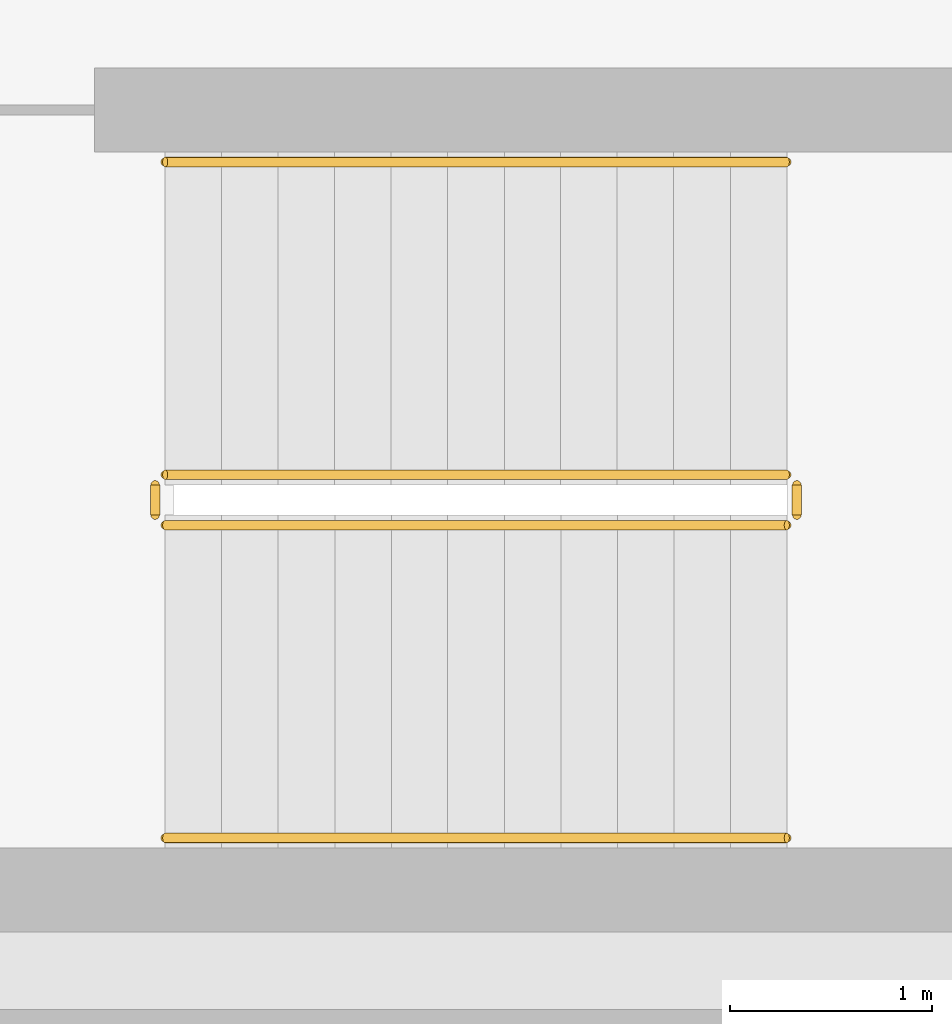
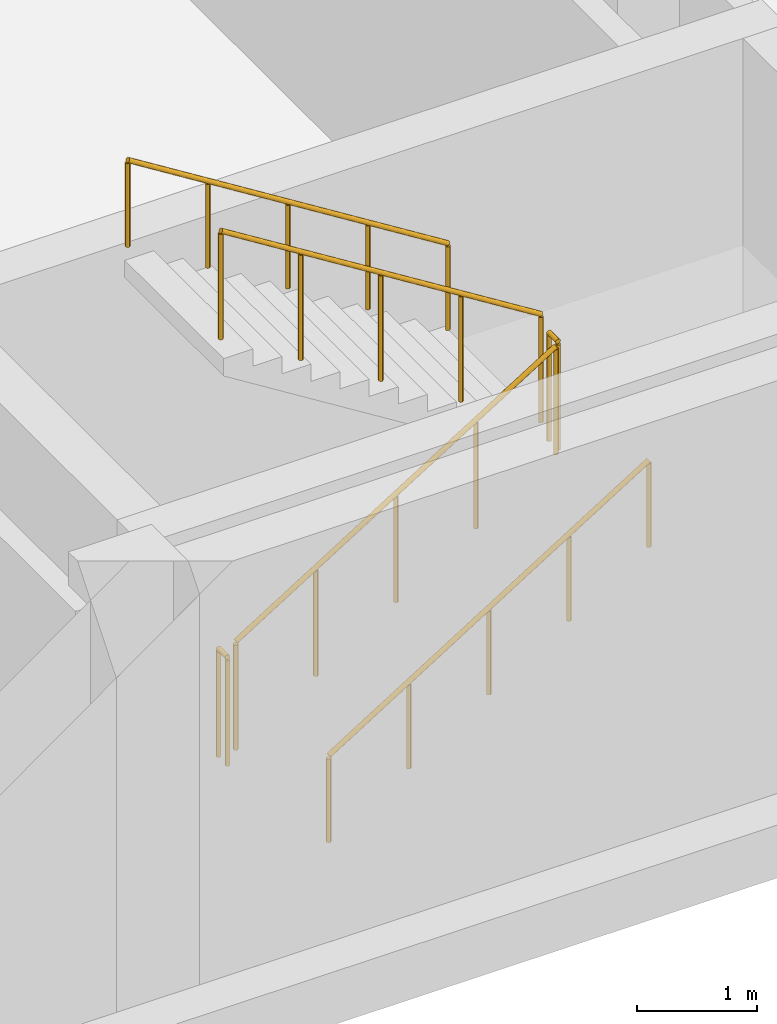
# One storey, part 28 of 31: 6 railings.
"""IFC4 building model written with IfcOpenShell, lengths in metres."""

from ifc_helpers import new_model, si_unit, direction, frame, origin, origin_2d, place, context, subcontext, project, spatial, circle, extrude, material, type_object, element, save


model = new_model("IFC4")

# Units and contexts
model_context = context("Model", 3, precision=1e-05, world=origin(), true_north=direction((0.0, 1.0)))
body_context = subcontext(model_context, "Body", "Model", "MODEL_VIEW")
ifc_project = project(units=[si_unit("LENGTHUNIT", "METRE"), si_unit("AREAUNIT", "SQUARE_METRE"), si_unit("VOLUMEUNIT", "CUBIC_METRE"), si_unit("PLANEANGLEUNIT", "RADIAN"), si_unit("MASSUNIT", "GRAM", prefix="KILO")], contexts=[model_context])

# Site, building, storey
site_placement = place(None, origin())
site = spatial("IfcSite", under=ifc_project, at=site_placement, CompositionType="ELEMENT")
building_placement = place(site_placement, origin())
building = spatial("IfcBuilding", under=site, at=building_placement, Name="Qalavern Law Courts", CompositionType="ELEMENT")
storey_placement = place(building_placement, frame((0.0, 0.0, -4.199951171875)))
storey = spatial("IfcBuildingStorey", under=building, at=storey_placement, Name="B1", CompositionType="ELEMENT", Elevation=-4.199951171875)

# Railings
ifc_material = material(Name="Steel S355", Category="steel")
railing_type_1 = type_object("IfcRailingType", Name="INT-GUARD-1120", PredefinedType="BALUSTRADE", material=ifc_material)
railing_1_placement = place(storey_placement, frame((120.050048828125, 3.60009765625, 0.175048828125)))
element("IfcRailing", 1, at=railing_1_placement, inside=storey, type_object=railing_type_1, Name="B1 ST-K5 stair guard 1", PredefinedType="BALUSTRADE", context=body_context, shape_type="SweptSolid", body=[
    extrude(circle(Radius=0.02392578125, at=origin_2d()), frame((0.0, 0.0, 1.09619140625), z_axis=(0.848009633417, 0.0, 0.529980812513), x_axis=(0.0, 1.0, 0.0)), (0.0, 0.0, 1.0), 3.6318359375),
    extrude(circle(Radius=0.02099609375, at=origin_2d()), origin(), (0.0, 0.0, 1.0), 1.072021484375),
    extrude(circle(Radius=0.02099609375, at=origin_2d()), frame((0.77001953125, 0.0, 0.481201171875)), (0.0, 0.0, 1.0), 1.072021484375),
    extrude(circle(Radius=0.02099609375, at=origin_2d()), frame((1.5400390625, 0.0, 0.96240234375)), (0.0, 0.0, 1.0), 1.072021484375),
    extrude(circle(Radius=0.02099609375, at=origin_2d()), frame((2.309814453125, 0.0, 1.443603515625)), (0.0, 0.0, 1.0), 1.072021484375),
    extrude(circle(Radius=0.02099609375, at=origin_2d()), frame((3.079833984375, 0.0, 1.9248046875)), (0.0, 0.0, 1.0), 1.072021484375),
])
railing_2_placement = place(storey_placement, frame((123.179931640625, 3.64990234375, 2.099853515625)))
element("IfcRailing", 2, at=railing_2_placement, inside=storey, type_object=railing_type_1, Name="B1 ST-K5 stair guard 2", PredefinedType="BALUSTRADE", context=body_context, shape_type="SweptSolid", body=[
    extrude(circle(Radius=0.02392578125, at=origin_2d()), frame((0.0, 0.0, 1.09619140625), z_axis=(0.0, 1.0, 0.0), x_axis=(-1.0, 0.0, 0.0)), (0.0, 0.0, 1.0), 0.150146484375),
    extrude(circle(Radius=0.02099609375, at=origin_2d()), origin(), (0.0, 0.0, 1.0), 1.072021484375),
    extrude(circle(Radius=0.02099609375, at=origin_2d()), frame((0.0, 0.150146484375, 0.0)), (0.0, 0.0, 1.0), 1.072021484375),
])
railing_3_placement = place(storey_placement, frame((123.1298828125, 3.85009765625, 2.27490234375)))
element("IfcRailing", 3, at=railing_3_placement, inside=storey, type_object=railing_type_1, Name="B1 ST-K5 stair guard 3", PredefinedType="BALUSTRADE", context=body_context, shape_type="SweptSolid", body=[
    extrude(circle(Radius=0.02392578125, at=origin_2d()), frame((0.0, 0.0, 1.09619140625), z_axis=(-0.847979421464, 0.0, 0.530029150871), x_axis=(0.0, -1.0, 0.0)), (0.0, 0.0, 1.0), 3.632080078125),
    extrude(circle(Radius=0.02099609375, at=origin_2d()), origin(), (0.0, 0.0, 1.0), 1.072021484375),
    extrude(circle(Radius=0.02099609375, at=origin_2d()), frame((-0.77001953125, 0.0, 0.481201171875)), (0.0, 0.0, 1.0), 1.072021484375),
    extrude(circle(Radius=0.02099609375, at=origin_2d()), frame((-1.5400390625, 0.0, 0.96240234375)), (0.0, 0.0, 1.0), 1.072021484375),
    extrude(circle(Radius=0.02099609375, at=origin_2d()), frame((-2.309814453125, 0.0, 1.44384765625)), (0.0, 0.0, 1.0), 1.072021484375),
    extrude(circle(Radius=0.02099609375, at=origin_2d()), frame((-3.079833984375, 0.0, 1.925048828125)), (0.0, 0.0, 1.0), 1.072021484375),
])
railing_4_placement = place(storey_placement, frame((120.0, 3.64990234375, 0.0)))
element("IfcRailing", 4, at=railing_4_placement, inside=storey, type_object=railing_type_1, Name="B1 ST-K5 stair guard 4", PredefinedType="BALUSTRADE", context=body_context, shape_type="SweptSolid", body=[
    extrude(circle(Radius=0.02392578125, at=origin_2d()), frame((0.0, 0.0, 1.09619140625), z_axis=(0.0, 1.0, 0.0), x_axis=(-1.0, 0.0, 0.0)), (0.0, 0.0, 1.0), 0.150146484375),
    extrude(circle(Radius=0.02099609375, at=origin_2d()), origin(), (0.0, 0.0, 1.0), 1.072021484375),
    extrude(circle(Radius=0.02099609375, at=origin_2d()), frame((0.0, 0.150146484375, 0.0)), (0.0, 0.0, 1.0), 1.072021484375),
])
railing_type_2 = type_object("IfcRailingType", Name="INT-HRAIL-920", PredefinedType="HANDRAIL", material=ifc_material)
railing_5_placement = place(storey_placement, frame((120.050048828125, 2.050048828125, 0.175048828125)))
element("IfcRailing", 5, at=railing_5_placement, inside=storey, type_object=railing_type_2, Name="B1 ST-K5 stair handrail 1", PredefinedType="HANDRAIL", context=body_context, shape_type="SweptSolid", body=[
    extrude(circle(Radius=0.02392578125, at=origin_2d()), frame((0.0, 0.0, 0.8759765625), z_axis=(0.848009633417, 0.0, 0.529980812513), x_axis=(0.0, 1.0, 0.0)), (0.0, 0.0, 1.0), 3.6318359375),
    extrude(circle(Radius=0.02099609375, at=origin_2d()), origin(), (0.0, 0.0, 1.0), 0.851806640625),
    extrude(circle(Radius=0.02099609375, at=origin_2d()), frame((0.77001953125, 0.0, 0.481201171875)), (0.0, 0.0, 1.0), 0.851806640625),
    extrude(circle(Radius=0.02099609375, at=origin_2d()), frame((1.5400390625, 0.0, 0.96240234375)), (0.0, 0.0, 1.0), 0.851806640625),
    extrude(circle(Radius=0.02099609375, at=origin_2d()), frame((2.309814453125, 0.0, 1.443603515625)), (0.0, 0.0, 1.0), 0.851806640625),
    extrude(circle(Radius=0.02099609375, at=origin_2d()), frame((3.079833984375, 0.0, 1.9248046875)), (0.0, 0.0, 1.0), 0.851806640625),
])
railing_6_placement = place(storey_placement, frame((123.1298828125, 5.39990234375, 2.27490234375)))
element("IfcRailing", 6, at=railing_6_placement, inside=storey, type_object=railing_type_2, Name="B1 ST-K5 stair handrail 2", PredefinedType="HANDRAIL", context=body_context, shape_type="SweptSolid", body=[
    extrude(circle(Radius=0.02392578125, at=origin_2d()), frame((0.0, 0.0, 0.8759765625), z_axis=(-0.847979421464, 0.0, 0.530029150871), x_axis=(0.0, -1.0, 0.0)), (0.0, 0.0, 1.0), 3.632080078125),
    extrude(circle(Radius=0.02099609375, at=origin_2d()), origin(), (0.0, 0.0, 1.0), 0.851806640625),
    extrude(circle(Radius=0.02099609375, at=origin_2d()), frame((-0.77001953125, 0.0, 0.481201171875)), (0.0, 0.0, 1.0), 0.851806640625),
    extrude(circle(Radius=0.02099609375, at=origin_2d()), frame((-1.5400390625, 0.0, 0.96240234375)), (0.0, 0.0, 1.0), 0.851806640625),
    extrude(circle(Radius=0.02099609375, at=origin_2d()), frame((-2.309814453125, 0.0, 1.44384765625)), (0.0, 0.0, 1.0), 0.851806640625),
    extrude(circle(Radius=0.02099609375, at=origin_2d()), frame((-3.079833984375, 0.0, 1.925048828125)), (0.0, 0.0, 1.0), 0.851806640625),
])

save(model, "model.ifc")
